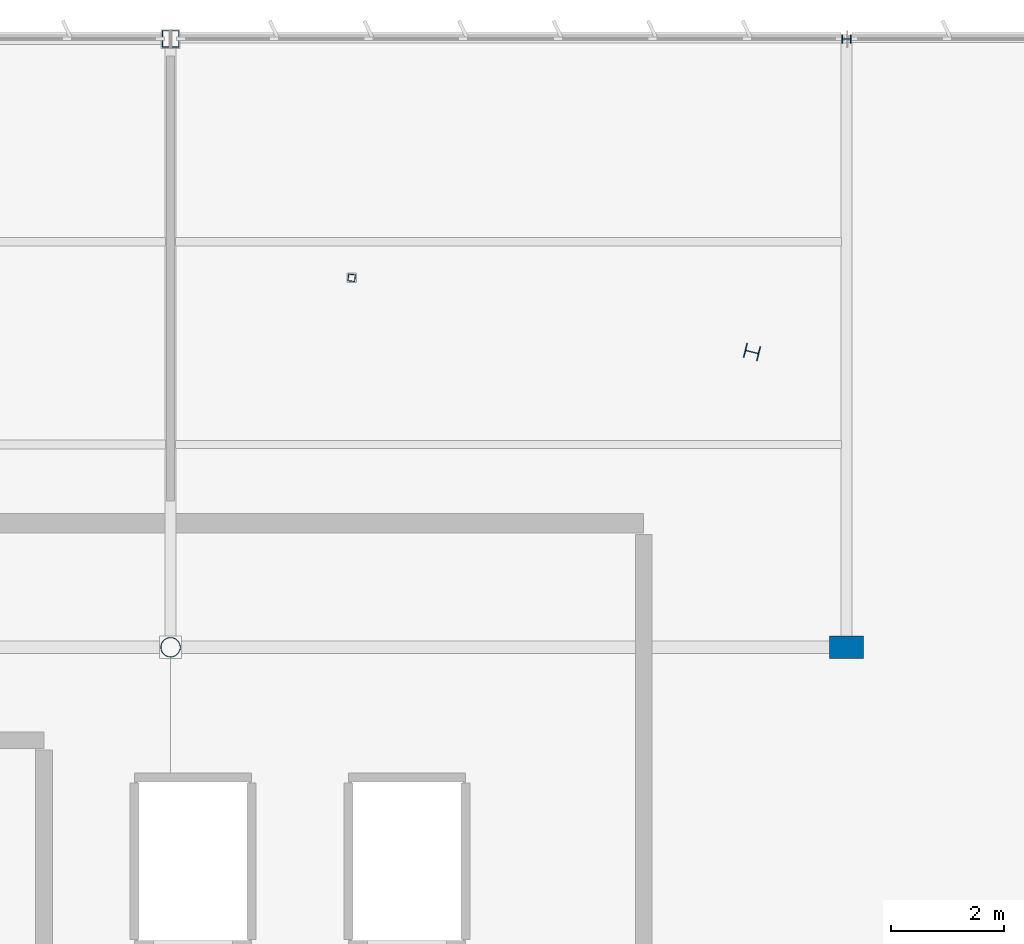
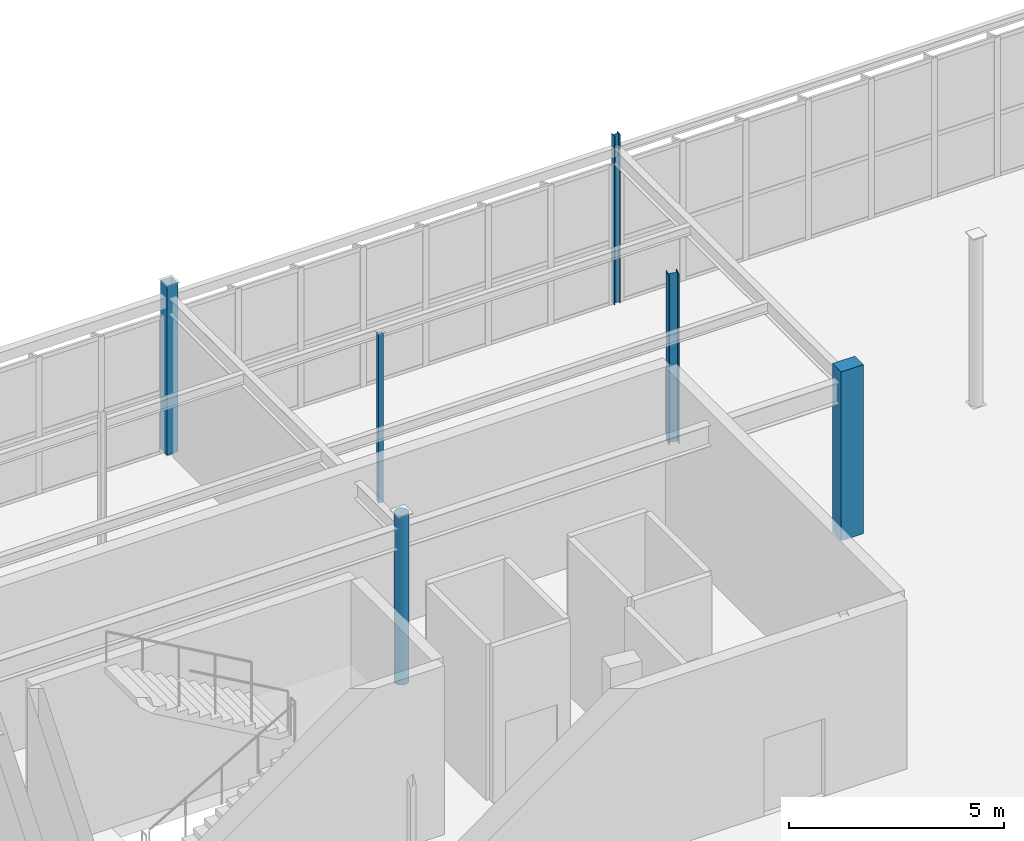
# One storey, part 36 of 226: 6 columns.
"""IFC4 building model written with IfcOpenShell, lengths in metres."""

from ifc_helpers import new_model, si_unit, direction, frame, origin, origin_2d, place, context, subcontext, project, spatial, rectangle, hollow_rectangle, hollow_circle, i_section, extrude, material, material_profile, profile_set, type_object, element, save


model = new_model("IFC4")

# Units and contexts
model_context = context("Model", 3, precision=1e-05, world=origin(), true_north=direction((0.0, 1.0)))
body_context = subcontext(model_context, "Body", "Model", "MODEL_VIEW")
ifc_project = project(units=[si_unit("LENGTHUNIT", "METRE"), si_unit("AREAUNIT", "SQUARE_METRE"), si_unit("VOLUMEUNIT", "CUBIC_METRE"), si_unit("PLANEANGLEUNIT", "RADIAN"), si_unit("MASSUNIT", "GRAM", prefix="KILO")], contexts=[model_context])

# Site, building, storey
site_placement = place(None, origin())
site = spatial("IfcSite", under=ifc_project, at=site_placement, CompositionType="ELEMENT")
building_placement = place(site_placement, origin())
building = spatial("IfcBuilding", under=site, at=building_placement, Name="Tarnwether General Hospital", CompositionType="ELEMENT")
storey_placement = place(building_placement, frame((0.0, 0.0, 4.800048828125)))
storey = spatial("IfcBuildingStorey", under=building, at=storey_placement, Name="L01", CompositionType="ELEMENT", Elevation=4.800048828125)

# Columns
ifc_material_1 = material(Name="Steel Grade C350L0 (350 MPa)", Category="steel")
ifc_material_profile_1 = material_profile(ifc_material_1, hollow_circle(Radius=0.177734375, WallThickness=0.0126953125, at=origin_2d()), Name="CHS355.6x12.7")
ifc_profile_set_1 = profile_set([ifc_material_profile_1], Name="Steel Grade C350L0 (350 MPa)")
column_type_1 = type_object("IfcColumnType", Name="COL-11", PredefinedType="COLUMN", material=ifc_profile_set_1)
column_1_placement = place(storey_placement, frame((96.0, 115.199951171875, 0.0), z_axis=(0.0, 0.0, 1.0), x_axis=(1.0, 0.0, 0.0)))
element("IfcColumn", 1, at=column_1_placement, inside=storey, type_object=column_type_1, Name="Column COLG-L01-9600_11520", PredefinedType="COLUMN", context=body_context, shape_type="SweptSolid", body=[
    extrude(hollow_circle(Radius=0.177734375, WallThickness=0.0126953125, at=origin_2d()), origin(), (0.0, 0.0, 1.0), 4.800048828125),
])
ifc_material_2 = material(Name="Concrete 50 MPa", Category="concrete")
ifc_material_profile_2 = material_profile(ifc_material_2, rectangle(XDim=0.39990234375, YDim=0.60009765625, at=origin_2d()), Name="RC-PIL-400x600")
ifc_profile_set_2 = profile_set([ifc_material_profile_2], Name="Concrete 50 MPa")
column_type_2 = type_object("IfcColumnType", Name="COL-21", PredefinedType="PILASTER", material=ifc_profile_set_2)
column_2_placement = place(storey_placement, frame((108.0, 115.199951171875, 0.0), z_axis=(0.0, 0.0, 1.0), x_axis=(0.0, 1.0, 0.0)))
element("IfcColumn", 2, at=column_2_placement, inside=storey, type_object=column_type_2, Name="Column COLG-L01-10800_11520", PredefinedType="PILASTER", context=body_context, shape_type="SweptSolid", body=[
    extrude(rectangle(XDim=0.39990234375, YDim=0.60009765625, at=origin_2d()), origin(), (0.0, 0.0, 1.0), 4.800048828125),
])
ifc_material_3 = material(Name="Steel Grade 350 (350 MPa)", Category="steel")
ifc_material_profile_3 = material_profile(ifc_material_3, i_section(OverallWidth=0.25390625, OverallDepth=0.25390625, WebThickness=0.008544921875, FlangeThickness=0.01416015625, at=origin_2d()), Name="250UC72.9")
ifc_profile_set_3 = profile_set([ifc_material_profile_3], Name="Steel Grade 350 (350 MPa)")
column_type_3 = type_object("IfcColumnType", Name="COL-24", PredefinedType="COLUMN", material=ifc_profile_set_3)
column_3_placement = place(storey_placement, frame((106.322021484375, 120.44189453125, 0.0), z_axis=(0.0, 0.0, 1.0), x_axis=(0.2419218956, 0.970295726276, 0.0)))
element("IfcColumn", 3, at=column_3_placement, inside=storey, type_object=column_type_3, Name="Column COLG-L01-10632_12044", PredefinedType="COLUMN", context=body_context, shape_type="SweptSolid", body=[
    extrude(i_section(OverallWidth=0.25390625, OverallDepth=0.25390625, WebThickness=0.008544921875, FlangeThickness=0.01416015625, at=origin_2d()), origin(), (0.0, 0.0, 1.0), 4.800048828125),
])
ifc_material_4 = material(Name="Steel Grade 350 (350 MPa)", Category="steel")
ifc_material_profile_4 = material_profile(ifc_material_4, i_section(OverallWidth=0.154052734375, OverallDepth=0.162109375, WebThickness=0.008056640625, FlangeThickness=0.011474609375, at=origin_2d()), Name="150UC37.2")
ifc_profile_set_4 = profile_set([ifc_material_profile_4], Name="Steel Grade 350 (350 MPa)")
column_type_4 = type_object("IfcColumnType", Name="COL-28", PredefinedType="COLUMN", material=ifc_profile_set_4)
column_4_placement = place(storey_placement, frame((108.0, 126.0, 0.0), z_axis=(0.0, 0.0, 1.0), x_axis=(0.0, 1.0, 0.0)))
element("IfcColumn", 4, at=column_4_placement, inside=storey, type_object=column_type_4, Name="Column COLG-L01-10800_12600", PredefinedType="COLUMN", context=body_context, shape_type="SweptSolid", body=[
    extrude(i_section(OverallWidth=0.154052734375, OverallDepth=0.162109375, WebThickness=0.008056640625, FlangeThickness=0.011474609375, at=origin_2d()), origin(), (0.0, 0.0, 1.0), 4.800048828125),
])
ifc_material_5 = material(Name="Steel Grade C350L0 (350 MPa)", Category="steel")
ifc_material_profile_5 = material_profile(ifc_material_5, hollow_rectangle(XDim=0.300048828125, YDim=0.300048828125, WallThickness=0.012451171875, at=origin_2d()), Name="SHS300x300x12.5")
ifc_profile_set_5 = profile_set([ifc_material_profile_5], Name="Steel Grade C350L0 (350 MPa)")
column_type_5 = type_object("IfcColumnType", Name="COL-30", PredefinedType="COLUMN", material=ifc_profile_set_5)
column_5_placement = place(storey_placement, frame((96.0, 126.0, 0.0), z_axis=(0.0, 0.0, 1.0), x_axis=(1.0, 0.0, 0.0)))
element("IfcColumn", 5, at=column_5_placement, inside=storey, type_object=column_type_5, Name="Column COLG-L01-9600_12600", PredefinedType="COLUMN", context=body_context, shape_type="SweptSolid", body=[
    extrude(hollow_rectangle(XDim=0.300048828125, YDim=0.300048828125, WallThickness=0.012451171875, at=origin_2d()), origin(), (0.0, 0.0, 1.0), 4.800048828125),
])
ifc_material_6 = material(Name="Steel Grade C350L0 (350 MPa)", Category="steel")
ifc_material_profile_6 = material_profile(ifc_material_6, hollow_rectangle(XDim=0.125, YDim=0.125, WallThickness=0.006103515625, at=origin_2d()), Name="SHS125x125x6")
ifc_profile_set_6 = profile_set([ifc_material_profile_6], Name="Steel Grade C350L0 (350 MPa)")
column_type_6 = type_object("IfcColumnType", Name="COL-34", PredefinedType="COLUMN", material=ifc_profile_set_6)
column_6_placement = place(storey_placement, frame((99.215087890625, 121.759033203125, 0.0), z_axis=(0.0, 0.0, 1.0), x_axis=(0.121869343405, 0.992546151641, 0.0)))
element("IfcColumn", 6, at=column_6_placement, inside=storey, type_object=column_type_6, Name="Column COLG-L01-9922_12176", PredefinedType="COLUMN", context=body_context, shape_type="SweptSolid", body=[
    extrude(hollow_rectangle(XDim=0.125, YDim=0.125, WallThickness=0.006103515625, at=origin_2d()), origin(), (0.0, 0.0, 1.0), 4.800048828125),
])

save(model, "model.ifc")
